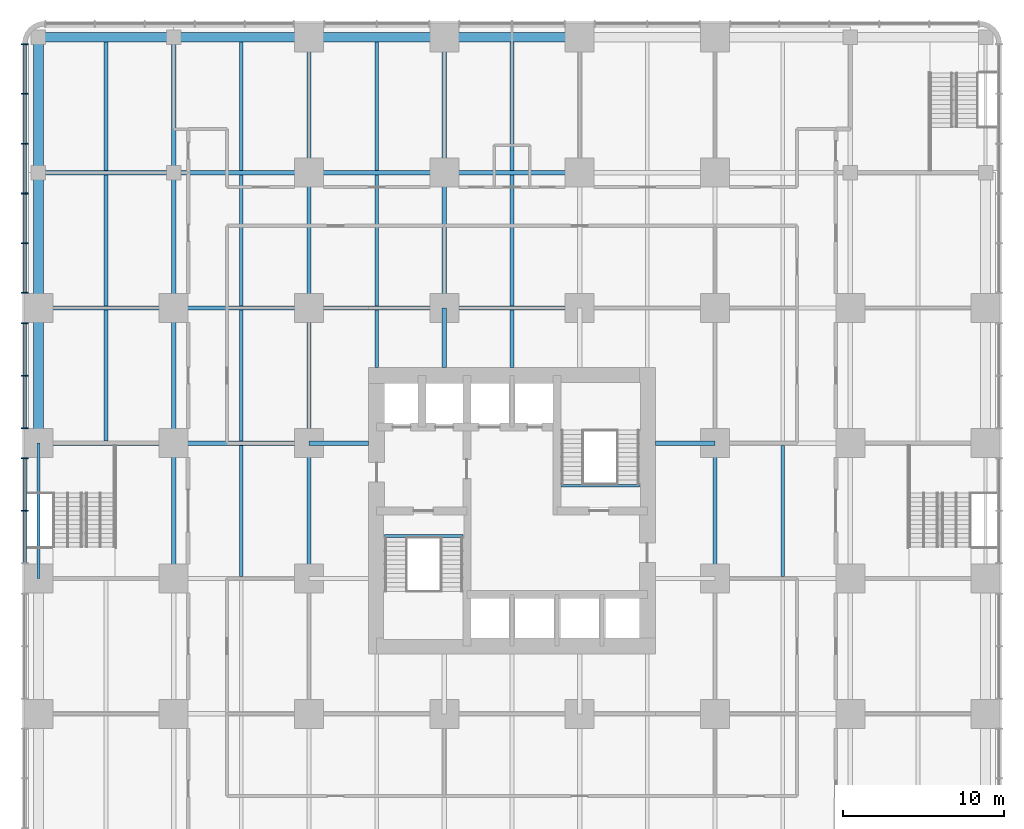
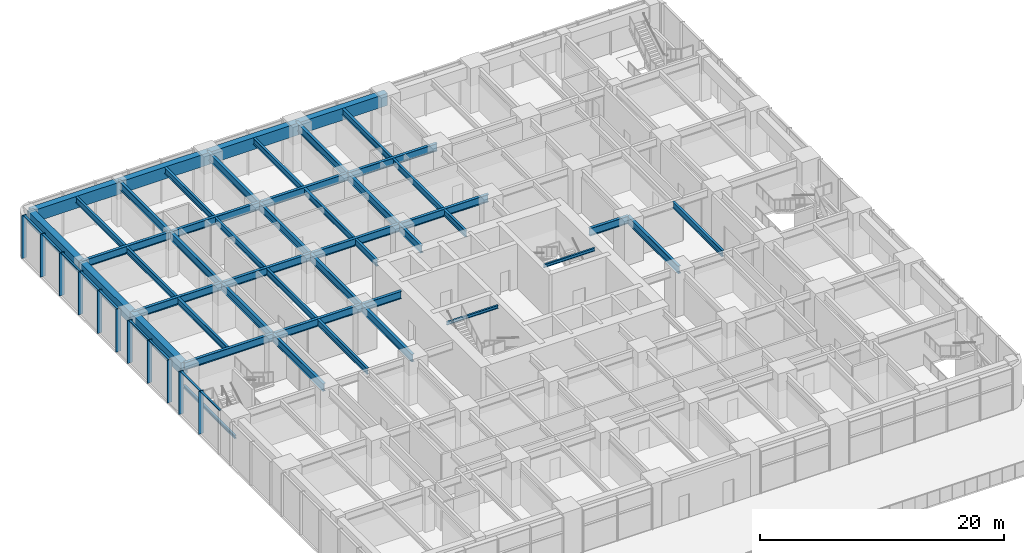
# One storey, part 5 of 19: 48 beams, 20 members, 1 element without a shape of its own.
"""IFC4 building model written with IfcOpenShell, lengths in metres."""

from ifc_helpers import new_model, si_unit, direction, frame, origin, origin_2d, place, context, subcontext, project, spatial, rectangle, i_section, extrude, material, material_profile, profile_set, type_object, element, aggregate, save


model = new_model("IFC4")

# Units and contexts
model_context = context("Model", 3, precision=1e-05, world=origin(), true_north=direction((0.0, 1.0)))
body_context = subcontext(model_context, "Body", "Model", "MODEL_VIEW")
ifc_project = project(units=[si_unit("LENGTHUNIT", "METRE"), si_unit("AREAUNIT", "SQUARE_METRE"), si_unit("VOLUMEUNIT", "CUBIC_METRE"), si_unit("PLANEANGLEUNIT", "RADIAN"), si_unit("MASSUNIT", "GRAM", prefix="KILO")], contexts=[model_context])

# Site, building, storey
site_placement = place(None, origin())
site = spatial("IfcSite", under=ifc_project, at=site_placement, CompositionType="ELEMENT")
building_placement = place(site_placement, origin())
building = spatial("IfcBuilding", under=site, at=building_placement, Name="Torre Alcanfor", CompositionType="ELEMENT")
storey_placement = place(building_placement, frame((0.0, 0.0, 15.0)))
storey = spatial("IfcBuildingStorey", under=building, at=storey_placement, Name="L03", CompositionType="ELEMENT", Elevation=15.0)

# Curtain wall, members
ifc_material_1 = material(Name="Aluminium and glass", Category="aluminium")
curtain_wall_type = type_object("IfcCurtainWallType", Name="CW-B unitised classroom glazing with vertical FIN", PredefinedType="NOTDEFINED", material=ifc_material_1)
curtain_wall_placement = place(storey_placement, origin())
curtain_wall = element("IfcCurtainWall", 1, at=curtain_wall_placement, inside=storey, type_object=curtain_wall_type, Name="Curtain wall CW-B L03 3", PredefinedType="NOTDEFINED")
ifc_material_2 = material(Name="Bronze anodised aluminium", Category="aluminium")
ifc_material_profile_1 = material_profile(ifc_material_2, rectangle(XDim=0.449951171875, YDim=0.06494140625, at=origin_2d()), Name="CW-B mullion 65x450")
ifc_profile_set_1 = profile_set([ifc_material_profile_1], Name="Bronze anodised aluminium")
member_type_1 = type_object("IfcMemberType", Name="CW-B mullion with vertical FIN 65x450", PredefinedType="MULLION", material=ifc_profile_set_1)
member_1_placement = place(storey_placement, frame((-0.85009765625, 58.367431640625, 0.0), z_axis=(0.0, 0.0, 1.0), x_axis=(1.0, 0.0, 0.0)))
member_1 = element("IfcMember", 2, at=member_1_placement, type_object=member_type_1, Name="CW-B mullion 1.1", PredefinedType="MULLION", context=body_context, shape_type="SweptSolid", body=[
    extrude(rectangle(XDim=0.449951171875, YDim=0.06494140625, at=origin_2d()), origin(), (0.0, 0.0, 1.0), 4.300048828125),
])
member_2_placement = place(storey_placement, frame((-0.85009765625, 55.301025390625, 0.0), z_axis=(0.0, 0.0, 1.0), x_axis=(1.0, 0.0, 0.0)))
member_2 = element("IfcMember", 3, at=member_2_placement, type_object=member_type_1, Name="CW-B mullion 1.2", PredefinedType="MULLION", context=body_context, shape_type="SweptSolid", body=[
    extrude(rectangle(XDim=0.449951171875, YDim=0.06494140625, at=origin_2d()), origin(), (0.0, 0.0, 1.0), 4.300048828125),
])
member_3_placement = place(storey_placement, frame((-0.85009765625, 52.201904296875, 0.0), z_axis=(0.0, 0.0, 1.0), x_axis=(1.0, 0.0, 0.0)))
member_3 = element("IfcMember", 4, at=member_3_placement, type_object=member_type_1, Name="CW-B mullion 1.3", PredefinedType="MULLION", context=body_context, shape_type="SweptSolid", body=[
    extrude(rectangle(XDim=0.449951171875, YDim=0.06494140625, at=origin_2d()), origin(), (0.0, 0.0, 1.0), 4.300048828125),
])
member_4_placement = place(storey_placement, frame((-0.85009765625, 49.10302734375, 0.0), z_axis=(0.0, 0.0, 1.0), x_axis=(1.0, 0.0, 0.0)))
member_4 = element("IfcMember", 5, at=member_4_placement, type_object=member_type_1, Name="CW-B mullion 1.4", PredefinedType="MULLION", context=body_context, shape_type="SweptSolid", body=[
    extrude(rectangle(XDim=0.449951171875, YDim=0.06494140625, at=origin_2d()), origin(), (0.0, 0.0, 1.0), 4.300048828125),
])
member_5_placement = place(storey_placement, frame((-0.85009765625, 46.00390625, 0.0), z_axis=(0.0, 0.0, 1.0), x_axis=(1.0, 0.0, 0.0)))
member_5 = element("IfcMember", 6, at=member_5_placement, type_object=member_type_1, Name="CW-B mullion 1.5", PredefinedType="MULLION", context=body_context, shape_type="SweptSolid", body=[
    extrude(rectangle(XDim=0.449951171875, YDim=0.06494140625, at=origin_2d()), origin(), (0.0, 0.0, 1.0), 4.300048828125),
])
member_6_placement = place(storey_placement, frame((-0.85009765625, 42.9375, 0.0), z_axis=(0.0, 0.0, 1.0), x_axis=(1.0, 0.0, 0.0)))
member_6 = element("IfcMember", 7, at=member_6_placement, type_object=member_type_1, Name="CW-B mullion 1.6", PredefinedType="MULLION", context=body_context, shape_type="SweptSolid", body=[
    extrude(rectangle(XDim=0.449951171875, YDim=0.06494140625, at=origin_2d()), origin(), (0.0, 0.0, 1.0), 4.300048828125),
])
member_7_placement = place(storey_placement, frame((-0.85009765625, 41.0625, 0.0), z_axis=(0.0, 0.0, 1.0), x_axis=(1.0, 0.0, 0.0)))
member_7 = element("IfcMember", 8, at=member_7_placement, type_object=member_type_1, Name="CW-B mullion 2.1", PredefinedType="MULLION", context=body_context, shape_type="SweptSolid", body=[
    extrude(rectangle(XDim=0.449951171875, YDim=0.06494140625, at=origin_2d()), origin(), (0.0, 0.0, 1.0), 4.300048828125),
])
member_8_placement = place(storey_placement, frame((-0.85009765625, 37.800048828125, 0.0), z_axis=(0.0, 0.0, 1.0), x_axis=(1.0, 0.0, 0.0)))
member_8 = element("IfcMember", 9, at=member_8_placement, type_object=member_type_1, Name="CW-B mullion 2.2", PredefinedType="MULLION", context=body_context, shape_type="SweptSolid", body=[
    extrude(rectangle(XDim=0.449951171875, YDim=0.06494140625, at=origin_2d()), origin(), (0.0, 0.0, 1.0), 4.300048828125),
])
member_9_placement = place(storey_placement, frame((-0.85009765625, 34.53759765625, 0.0), z_axis=(0.0, 0.0, 1.0), x_axis=(1.0, 0.0, 0.0)))
member_9 = element("IfcMember", 10, at=member_9_placement, type_object=member_type_1, Name="CW-B mullion 2.3", PredefinedType="MULLION", context=body_context, shape_type="SweptSolid", body=[
    extrude(rectangle(XDim=0.449951171875, YDim=0.06494140625, at=origin_2d()), origin(), (0.0, 0.0, 1.0), 4.300048828125),
])
member_10_placement = place(storey_placement, frame((-0.85009765625, 32.66259765625, 0.0), z_axis=(0.0, 0.0, 1.0), x_axis=(1.0, 0.0, 0.0)))
member_10 = element("IfcMember", 11, at=member_10_placement, type_object=member_type_1, Name="CW-B mullion 3.1", PredefinedType="MULLION", context=body_context, shape_type="SweptSolid", body=[
    extrude(rectangle(XDim=0.449951171875, YDim=0.06494140625, at=origin_2d()), origin(), (0.0, 0.0, 1.0), 4.300048828125),
])
member_11_placement = place(storey_placement, frame((-0.85009765625, 29.39990234375, 0.0), z_axis=(0.0, 0.0, 1.0), x_axis=(1.0, 0.0, 0.0)))
member_11 = element("IfcMember", 12, at=member_11_placement, type_object=member_type_1, Name="CW-B mullion 3.2", PredefinedType="MULLION", context=body_context, shape_type="SweptSolid", body=[
    extrude(rectangle(XDim=0.449951171875, YDim=0.06494140625, at=origin_2d()), origin(), (0.0, 0.0, 1.0), 4.300048828125),
])
ifc_material_3 = material(Name="Extruded aluminium", Category="aluminium")
ifc_material_profile_2 = material_profile(ifc_material_3, rectangle(XDim=0.199951171875, YDim=0.06494140625, at=origin_2d()), Name="CW-B transom 200x65")
ifc_profile_set_2 = profile_set([ifc_material_profile_2], Name="Extruded aluminium")
member_type_2 = type_object("IfcMemberType", Name="CW-B transom 65x200", PredefinedType="USERDEFINED", material=ifc_profile_set_2)
member_12_placement = place(storey_placement, frame((-0.85009765625, 58.3349609375, 4.267578125), z_axis=(0.0, -1.0, 0.0), x_axis=(1.0, 0.0, 0.0)))
member_12 = element("IfcMember", 13, at=member_12_placement, type_object=member_type_2, Name="CW-B transom 1.1.2", ObjectType="TRANSOM", PredefinedType="USERDEFINED", context=body_context, shape_type="SweptSolid", body=[
    extrude(rectangle(XDim=0.199951171875, YDim=0.06494140625, at=origin_2d()), origin(), (0.0, 0.0, 1.0), 3.00146484375),
])
member_13_placement = place(storey_placement, frame((-0.85009765625, 55.2685546875, 4.267578125), z_axis=(0.0, -1.0, 0.0), x_axis=(1.0, 0.0, 0.0)))
member_13 = element("IfcMember", 14, at=member_13_placement, type_object=member_type_2, Name="CW-B transom 1.2.2", ObjectType="TRANSOM", PredefinedType="USERDEFINED", context=body_context, shape_type="SweptSolid", body=[
    extrude(rectangle(XDim=0.199951171875, YDim=0.06494140625, at=origin_2d()), origin(), (0.0, 0.0, 1.0), 3.033935546875),
])
member_14_placement = place(storey_placement, frame((-0.85009765625, 52.16943359375, 4.267578125), z_axis=(0.0, -1.0, 0.0), x_axis=(1.0, 0.0, 0.0)))
member_14 = element("IfcMember", 15, at=member_14_placement, type_object=member_type_2, Name="CW-B transom 1.3.2", ObjectType="TRANSOM", PredefinedType="USERDEFINED", context=body_context, shape_type="SweptSolid", body=[
    extrude(rectangle(XDim=0.199951171875, YDim=0.06494140625, at=origin_2d()), origin(), (0.0, 0.0, 1.0), 3.033935546875),
])
member_15_placement = place(storey_placement, frame((-0.85009765625, 49.070556640625, 4.267578125), z_axis=(0.0, -1.0, 0.0), x_axis=(1.0, 0.0, 0.0)))
member_15 = element("IfcMember", 16, at=member_15_placement, type_object=member_type_2, Name="CW-B transom 1.4.2", ObjectType="TRANSOM", PredefinedType="USERDEFINED", context=body_context, shape_type="SweptSolid", body=[
    extrude(rectangle(XDim=0.199951171875, YDim=0.06494140625, at=origin_2d()), origin(), (0.0, 0.0, 1.0), 3.033935546875),
])
member_16_placement = place(storey_placement, frame((-0.85009765625, 45.971435546875, 4.267578125), z_axis=(0.0, -1.0, 0.0), x_axis=(1.0, 0.0, 0.0)))
member_16 = element("IfcMember", 17, at=member_16_placement, type_object=member_type_2, Name="CW-B transom 1.5.2", ObjectType="TRANSOM", PredefinedType="USERDEFINED", context=body_context, shape_type="SweptSolid", body=[
    extrude(rectangle(XDim=0.199951171875, YDim=0.06494140625, at=origin_2d()), origin(), (0.0, 0.0, 1.0), 3.00146484375),
])
member_17_placement = place(storey_placement, frame((-0.85009765625, 41.030029296875, 4.267578125), z_axis=(0.0, -1.0, 0.0), x_axis=(1.0, 0.0, 0.0)))
member_17 = element("IfcMember", 18, at=member_17_placement, type_object=member_type_2, Name="CW-B transom 2.1.2", ObjectType="TRANSOM", PredefinedType="USERDEFINED", context=body_context, shape_type="SweptSolid", body=[
    extrude(rectangle(XDim=0.199951171875, YDim=0.06494140625, at=origin_2d()), origin(), (0.0, 0.0, 1.0), 3.197509765625),
])
member_18_placement = place(storey_placement, frame((-0.85009765625, 37.767578125, 4.267578125), z_axis=(0.0, -1.0, 0.0), x_axis=(1.0, 0.0, 0.0)))
member_18 = element("IfcMember", 19, at=member_18_placement, type_object=member_type_2, Name="CW-B transom 2.2.2", ObjectType="TRANSOM", PredefinedType="USERDEFINED", context=body_context, shape_type="SweptSolid", body=[
    extrude(rectangle(XDim=0.199951171875, YDim=0.06494140625, at=origin_2d()), origin(), (0.0, 0.0, 1.0), 3.197509765625),
])
member_19_placement = place(storey_placement, frame((-0.85009765625, 32.6298828125, 4.267578125), z_axis=(0.0, -1.0, 0.0), x_axis=(1.0, 0.0, 0.0)))
member_19 = element("IfcMember", 20, at=member_19_placement, type_object=member_type_2, Name="CW-B transom 3.1.2", ObjectType="TRANSOM", PredefinedType="USERDEFINED", context=body_context, shape_type="SweptSolid", body=[
    extrude(rectangle(XDim=0.199951171875, YDim=0.06494140625, at=origin_2d()), origin(), (0.0, 0.0, 1.0), 3.197265625),
])
member_20_placement = place(storey_placement, frame((-0.85009765625, 29.367431640625, 4.267578125), z_axis=(0.0, -1.0, 0.0), x_axis=(1.0, 0.0, 0.0)))
member_20 = element("IfcMember", 21, at=member_20_placement, type_object=member_type_2, Name="CW-B transom 3.2.2", ObjectType="TRANSOM", PredefinedType="USERDEFINED", context=body_context, shape_type="SweptSolid", body=[
    extrude(rectangle(XDim=0.199951171875, YDim=0.06494140625, at=origin_2d()), origin(), (0.0, 0.0, 1.0), 3.197509765625),
])
aggregate(curtain_wall, [member_1, member_2, member_3, member_4, member_5, member_6, member_12, member_13, member_14, member_15, member_16, member_7, member_8, member_9, member_17, member_18, member_10, member_11, member_19, member_20])

# Beams
ifc_material_4 = material(Name="Steel ASTM A992 Grade 50", Category="steel")
ifc_material_profile_3 = material_profile(ifc_material_4, i_section(OverallWidth=0.2666015625, OverallDepth=0.7568359375, WebThickness=0.013916015625, FlangeThickness=0.019287109375, at=origin_2d()), Name="W30x108")
ifc_profile_set_3 = profile_set([ifc_material_profile_3], Name="Steel ASTM A992 Grade 50")
beam_type_1 = type_object("IfcBeamType", Name="Girder W30x108", PredefinedType="BEAM", material=ifc_profile_set_3)
beam_1_placement = place(storey_placement, frame((0.0, 33.60009765625, 3.921630859375), z_axis=(1.0, 0.0, 0.0), x_axis=(0.0, 1.0, 0.0)))
element("IfcBeam", 22, at=beam_1_placement, inside=storey, type_object=beam_type_1, Name="Beam 1G-2G under L04", PredefinedType="BEAM", context=body_context, shape_type="SweptSolid", body=[
    extrude(i_section(OverallWidth=0.2666015625, OverallDepth=0.7568359375, WebThickness=0.013916015625, FlangeThickness=0.019287109375, at=origin_2d()), origin(), (0.0, 0.0, 1.0), 8.39990234375),
])
beam_2_placement = place(storey_placement, frame((8.39990234375, 33.60009765625, 3.921630859375), z_axis=(1.0, 0.0, 0.0), x_axis=(0.0, 1.0, 0.0)))
element("IfcBeam", 23, at=beam_2_placement, inside=storey, type_object=beam_type_1, Name="Beam 2G-3G under L04", PredefinedType="BEAM", context=body_context, shape_type="SweptSolid", body=[
    extrude(i_section(OverallWidth=0.2666015625, OverallDepth=0.7568359375, WebThickness=0.013916015625, FlangeThickness=0.019287109375, at=origin_2d()), origin(), (0.0, 0.0, 1.0), 8.400146484375),
])
beam_3_placement = place(storey_placement, frame((0.0, 42.0, 3.921630859375), z_axis=(1.0, 0.0, 0.0), x_axis=(0.0, 1.0, 0.0)))
element("IfcBeam", 24, at=beam_3_placement, inside=storey, type_object=beam_type_1, Name="Beam 1H-2H under L04", PredefinedType="BEAM", context=body_context, shape_type="SweptSolid", body=[
    extrude(i_section(OverallWidth=0.2666015625, OverallDepth=0.7568359375, WebThickness=0.013916015625, FlangeThickness=0.019287109375, at=origin_2d()), origin(), (0.0, 0.0, 1.0), 8.39990234375),
])
beam_4_placement = place(storey_placement, frame((8.39990234375, 42.0, 3.921630859375), z_axis=(1.0, 0.0, 0.0), x_axis=(0.0, 1.0, 0.0)))
element("IfcBeam", 25, at=beam_4_placement, inside=storey, type_object=beam_type_1, Name="Beam 2H-3H under L04", PredefinedType="BEAM", context=body_context, shape_type="SweptSolid", body=[
    extrude(i_section(OverallWidth=0.2666015625, OverallDepth=0.7568359375, WebThickness=0.013916015625, FlangeThickness=0.019287109375, at=origin_2d()), origin(), (0.0, 0.0, 1.0), 8.400146484375),
])
beam_5_placement = place(storey_placement, frame((16.800048828125, 42.0, 3.921630859375), z_axis=(1.0, 0.0, 0.0), x_axis=(0.0, 1.0, 0.0)))
element("IfcBeam", 26, at=beam_5_placement, inside=storey, type_object=beam_type_1, Name="Beam 3H-4H under L04", PredefinedType="BEAM", context=body_context, shape_type="SweptSolid", body=[
    extrude(i_section(OverallWidth=0.2666015625, OverallDepth=0.7568359375, WebThickness=0.013916015625, FlangeThickness=0.019287109375, at=origin_2d()), origin(), (0.0, 0.0, 1.0), 8.39990234375),
])
beam_6_placement = place(storey_placement, frame((25.199951171875, 42.0, 3.921630859375), z_axis=(1.0, 0.0, 0.0), x_axis=(0.0, 1.0, 0.0)))
element("IfcBeam", 27, at=beam_6_placement, inside=storey, type_object=beam_type_1, Name="Beam 4H-5H under L04", PredefinedType="BEAM", context=body_context, shape_type="SweptSolid", body=[
    extrude(i_section(OverallWidth=0.2666015625, OverallDepth=0.7568359375, WebThickness=0.013916015625, FlangeThickness=0.019287109375, at=origin_2d()), origin(), (0.0, 0.0, 1.0), 8.400146484375),
])
beam_7_placement = place(storey_placement, frame((0.0, 50.39990234375, 3.921630859375), z_axis=(1.0, 0.0, 0.0), x_axis=(0.0, 1.0, 0.0)))
element("IfcBeam", 28, at=beam_7_placement, inside=storey, type_object=beam_type_1, Name="Beam 1J-2J under L04", PredefinedType="BEAM", context=body_context, shape_type="SweptSolid", body=[
    extrude(i_section(OverallWidth=0.2666015625, OverallDepth=0.7568359375, WebThickness=0.013916015625, FlangeThickness=0.019287109375, at=origin_2d()), origin(), (0.0, 0.0, 1.0), 8.39990234375),
])
beam_8_placement = place(storey_placement, frame((8.39990234375, 50.39990234375, 3.921630859375), z_axis=(1.0, 0.0, 0.0), x_axis=(0.0, 1.0, 0.0)))
element("IfcBeam", 29, at=beam_8_placement, inside=storey, type_object=beam_type_1, Name="Beam 2J-3J under L04", PredefinedType="BEAM", context=body_context, shape_type="SweptSolid", body=[
    extrude(i_section(OverallWidth=0.2666015625, OverallDepth=0.7568359375, WebThickness=0.013916015625, FlangeThickness=0.019287109375, at=origin_2d()), origin(), (0.0, 0.0, 1.0), 8.400146484375),
])
beam_9_placement = place(storey_placement, frame((16.800048828125, 50.39990234375, 3.921630859375), z_axis=(1.0, 0.0, 0.0), x_axis=(0.0, 1.0, 0.0)))
element("IfcBeam", 30, at=beam_9_placement, inside=storey, type_object=beam_type_1, Name="Beam 3J-4J under L04", PredefinedType="BEAM", context=body_context, shape_type="SweptSolid", body=[
    extrude(i_section(OverallWidth=0.2666015625, OverallDepth=0.7568359375, WebThickness=0.013916015625, FlangeThickness=0.019287109375, at=origin_2d()), origin(), (0.0, 0.0, 1.0), 8.39990234375),
])
for number, where, z_axis, x_axis, name in (
    (31, (25.199951171875, 50.39990234375, 3.921630859375), (1.0, 0.0, 0.0), (0.0, 1.0, 0.0), "Beam 4J-5J under L04"),
    (32, (8.39990234375, 25.199951171875, 3.921630859375), (0.0, 1.0, 0.0), (-1.0, 0.0, 0.0), "Beam 2F-2G under L04"),
):
    element("IfcBeam", number, at=place(storey_placement, frame(where, z_axis=z_axis, x_axis=x_axis)), inside=storey, type_object=beam_type_1, Name=name, PredefinedType="BEAM", context=body_context, shape_type="SweptSolid", body=[
        extrude(i_section(OverallWidth=0.2666015625, OverallDepth=0.7568359375, WebThickness=0.013916015625, FlangeThickness=0.019287109375, at=origin_2d()), origin(), (0.0, 0.0, 1.0), 8.400146484375),
    ])
for number, where, z_axis, x_axis, name in (
    (33, (8.39990234375, 33.60009765625, 3.921630859375), (0.0, 1.0, 0.0), (-1.0, 0.0, 0.0), "Beam 2G-2H under L04"),
    (34, (8.39990234375, 42.0, 3.921630859375), (0.0, 1.0, 0.0), (-1.0, 0.0, 0.0), "Beam 2H-2J under L04"),
):
    element("IfcBeam", number, at=place(storey_placement, frame(where, z_axis=z_axis, x_axis=x_axis)), inside=storey, type_object=beam_type_1, Name=name, PredefinedType="BEAM", context=body_context, shape_type="SweptSolid", body=[
        extrude(i_section(OverallWidth=0.2666015625, OverallDepth=0.7568359375, WebThickness=0.013916015625, FlangeThickness=0.019287109375, at=origin_2d()), origin(), (0.0, 0.0, 1.0), 8.39990234375),
    ])
for number, where, z_axis, x_axis, name in (
    (35, (8.39990234375, 50.39990234375, 3.921630859375), (0.0, 1.0, 0.0), (-1.0, 0.0, 0.0), "Beam 2J-2K under L04"),
    (36, (16.800048828125, 25.199951171875, 3.921630859375), (0.0, 1.0, 0.0), (-1.0, 0.0, 0.0), "Beam 3F-3G under L04"),
):
    element("IfcBeam", number, at=place(storey_placement, frame(where, z_axis=z_axis, x_axis=x_axis)), inside=storey, type_object=beam_type_1, Name=name, PredefinedType="BEAM", context=body_context, shape_type="SweptSolid", body=[
        extrude(i_section(OverallWidth=0.2666015625, OverallDepth=0.7568359375, WebThickness=0.013916015625, FlangeThickness=0.019287109375, at=origin_2d()), origin(), (0.0, 0.0, 1.0), 8.400146484375),
    ])
for number, where, z_axis, x_axis, name in (
    (37, (16.800048828125, 33.60009765625, 3.921630859375), (0.0, 1.0, 0.0), (-1.0, 0.0, 0.0), "Beam 3G-3H under L04"),
    (38, (16.800048828125, 42.0, 3.921630859375), (0.0, 1.0, 0.0), (-1.0, 0.0, 0.0), "Beam 3H-3J under L04"),
):
    element("IfcBeam", number, at=place(storey_placement, frame(where, z_axis=z_axis, x_axis=x_axis)), inside=storey, type_object=beam_type_1, Name=name, PredefinedType="BEAM", context=body_context, shape_type="SweptSolid", body=[
        extrude(i_section(OverallWidth=0.2666015625, OverallDepth=0.7568359375, WebThickness=0.013916015625, FlangeThickness=0.019287109375, at=origin_2d()), origin(), (0.0, 0.0, 1.0), 8.39990234375),
    ])
beam_10_placement = place(storey_placement, frame((16.800048828125, 50.39990234375, 3.921630859375), z_axis=(0.0, 1.0, 0.0), x_axis=(-1.0, 0.0, 0.0)))
element("IfcBeam", 39, at=beam_10_placement, inside=storey, type_object=beam_type_1, Name="Beam 3J-3K under L04", PredefinedType="BEAM", context=body_context, shape_type="SweptSolid", body=[
    extrude(i_section(OverallWidth=0.2666015625, OverallDepth=0.7568359375, WebThickness=0.013916015625, FlangeThickness=0.019287109375, at=origin_2d()), origin(), (0.0, 0.0, 1.0), 8.400146484375),
])
beam_11_placement = place(storey_placement, frame((25.199951171875, 42.0, 3.921630859375), z_axis=(0.0, 1.0, 0.0), x_axis=(-1.0, 0.0, 0.0)))
element("IfcBeam", 40, at=beam_11_placement, inside=storey, type_object=beam_type_1, Name="Beam 4H-4J under L04", PredefinedType="BEAM", context=body_context, shape_type="SweptSolid", body=[
    extrude(i_section(OverallWidth=0.2666015625, OverallDepth=0.7568359375, WebThickness=0.013916015625, FlangeThickness=0.019287109375, at=origin_2d()), origin(), (0.0, 0.0, 1.0), 8.39990234375),
])
for number, where, z_axis, x_axis, name in (
    (41, (25.199951171875, 50.39990234375, 3.921630859375), (0.0, 1.0, 0.0), (-1.0, 0.0, 0.0), "Beam 4J-4K under L04"),
    (42, (42.0, 25.199951171875, 3.921630859375), (0.0, 1.0, 0.0), (-1.0, 0.0, 0.0), "Beam 6F-6G under L04"),
):
    element("IfcBeam", number, at=place(storey_placement, frame(where, z_axis=z_axis, x_axis=x_axis)), inside=storey, type_object=beam_type_1, Name=name, PredefinedType="BEAM", context=body_context, shape_type="SweptSolid", body=[
        extrude(i_section(OverallWidth=0.2666015625, OverallDepth=0.7568359375, WebThickness=0.013916015625, FlangeThickness=0.019287109375, at=origin_2d()), origin(), (0.0, 0.0, 1.0), 8.400146484375),
    ])
ifc_material_5 = material(Name="Steel ASTM A992 Grade 50", Category="steel")
ifc_material_profile_4 = material_profile(ifc_material_5, i_section(OverallWidth=0.2666015625, OverallDepth=0.7568359375, WebThickness=0.013916015625, FlangeThickness=0.019287109375, at=origin_2d()), Name="W30x108")
ifc_profile_set_4 = profile_set([ifc_material_profile_4], Name="Steel ASTM A992 Grade 50")
beam_type_2 = type_object("IfcBeamType", Name="Girder, part bay W30x108", PredefinedType="BEAM", material=ifc_profile_set_4)
for number, where, z_axis, x_axis, name in (
    (43, (25.199951171875, 42.0, 3.921630859375), (0.0, -1.0, 0.0), (1.0, 0.0, 0.0), "Beam 4H-438_3 under L04"),
    (44, (16.800048828125, 33.60009765625, 3.921630859375), (1.0, 0.0, 0.0), (0.0, 1.0, 0.0), "Beam 3G-20_5G under L04"),
    (45, (42.0, 33.60009765625, 3.921630859375), (-1.0, 0.0, 0.0), (0.0, -1.0, 0.0), "Beam 6G-38_3G under L04"),
):
    element("IfcBeam", number, at=place(storey_placement, frame(where, z_axis=z_axis, x_axis=x_axis)), inside=storey, type_object=beam_type_2, Name=name, PredefinedType="BEAM", context=body_context, shape_type="SweptSolid", body=[
        extrude(i_section(OverallWidth=0.2666015625, OverallDepth=0.7568359375, WebThickness=0.013916015625, FlangeThickness=0.019287109375, at=origin_2d()), origin(), (0.0, 0.0, 1.0), 3.699951171875),
    ])
ifc_material_6 = material(Name="Concrete f'c 70 MPa", Category="concrete")
ifc_material_profile_5 = material_profile(ifc_material_6, rectangle(XDim=0.60009765625, YDim=1.199951171875, at=origin_2d()), Name="600x1200")
ifc_profile_set_5 = profile_set([ifc_material_profile_5], Name="Concrete f'c 70 MPa")
beam_type_3 = type_object("IfcBeamType", Name="RC perimeter beam 600x1200", PredefinedType="BEAM", material=ifc_profile_set_5)
beam_12_placement = place(storey_placement, frame((0.0, 58.800048828125, 3.699951171875), z_axis=(1.0, 0.0, 0.0), x_axis=(0.0, 1.0, 0.0)))
element("IfcBeam", 46, at=beam_12_placement, inside=storey, type_object=beam_type_3, Name="Beam 1K-2K under L04", PredefinedType="BEAM", context=body_context, shape_type="SweptSolid", body=[
    extrude(rectangle(XDim=0.60009765625, YDim=1.199951171875, at=origin_2d()), origin(), (0.0, 0.0, 1.0), 8.39990234375),
])
beam_13_placement = place(storey_placement, frame((8.39990234375, 58.800048828125, 3.699951171875), z_axis=(1.0, 0.0, 0.0), x_axis=(0.0, 1.0, 0.0)))
element("IfcBeam", 47, at=beam_13_placement, inside=storey, type_object=beam_type_3, Name="Beam 2K-3K under L04", PredefinedType="BEAM", context=body_context, shape_type="SweptSolid", body=[
    extrude(rectangle(XDim=0.60009765625, YDim=1.199951171875, at=origin_2d()), origin(), (0.0, 0.0, 1.0), 8.400146484375),
])
beam_14_placement = place(storey_placement, frame((16.800048828125, 58.800048828125, 3.699951171875), z_axis=(1.0, 0.0, 0.0), x_axis=(0.0, 1.0, 0.0)))
element("IfcBeam", 48, at=beam_14_placement, inside=storey, type_object=beam_type_3, Name="Beam 3K-4K under L04", PredefinedType="BEAM", context=body_context, shape_type="SweptSolid", body=[
    extrude(rectangle(XDim=0.60009765625, YDim=1.199951171875, at=origin_2d()), origin(), (0.0, 0.0, 1.0), 8.39990234375),
])
beam_15_placement = place(storey_placement, frame((25.199951171875, 58.800048828125, 3.699951171875), z_axis=(1.0, 0.0, 0.0), x_axis=(0.0, 1.0, 0.0)))
element("IfcBeam", 49, at=beam_15_placement, inside=storey, type_object=beam_type_3, Name="Beam 4K-5K under L04", PredefinedType="BEAM", context=body_context, shape_type="SweptSolid", body=[
    extrude(rectangle(XDim=0.60009765625, YDim=1.199951171875, at=origin_2d()), origin(), (0.0, 0.0, 1.0), 8.400146484375),
])
for number, where, z_axis, x_axis, name in (
    (50, (0.0, 33.60009765625, 3.699951171875), (0.0, 1.0, 0.0), (-1.0, 0.0, 0.0), "Beam 1G-1H under L04"),
    (51, (0.0, 42.0, 3.699951171875), (0.0, 1.0, 0.0), (-1.0, 0.0, 0.0), "Beam 1H-1J under L04"),
):
    element("IfcBeam", number, at=place(storey_placement, frame(where, z_axis=z_axis, x_axis=x_axis)), inside=storey, type_object=beam_type_3, Name=name, PredefinedType="BEAM", context=body_context, shape_type="SweptSolid", body=[
        extrude(rectangle(XDim=0.60009765625, YDim=1.199951171875, at=origin_2d()), origin(), (0.0, 0.0, 1.0), 8.39990234375),
    ])
beam_16_placement = place(storey_placement, frame((0.0, 50.39990234375, 3.699951171875), z_axis=(0.0, 1.0, 0.0), x_axis=(-1.0, 0.0, 0.0)))
element("IfcBeam", 52, at=beam_16_placement, inside=storey, type_object=beam_type_3, Name="Beam 1J-1K under L04", PredefinedType="BEAM", context=body_context, shape_type="SweptSolid", body=[
    extrude(rectangle(XDim=0.60009765625, YDim=1.199951171875, at=origin_2d()), origin(), (0.0, 0.0, 1.0), 8.400146484375),
])
ifc_material_7 = material(Name="Steel ASTM A992 Grade 50", Category="steel")
ifc_material_profile_6 = material_profile(ifc_material_7, i_section(OverallWidth=0.203369140625, OverallDepth=0.30224609375, WebThickness=0.007568359375, FlangeThickness=0.01318359375, at=origin_2d()), Name="W12x40")
ifc_profile_set_6 = profile_set([ifc_material_profile_6], Name="Steel ASTM A992 Grade 50")
beam_type_4 = type_object("IfcBeamType", Name="School stair landing beam W12x40", PredefinedType="BEAM", material=ifc_profile_set_6)
beam_17_placement = place(storey_placement, frame((0.0, 25.199951171875, 1.89892578125), z_axis=(0.0, 1.0, 0.0), x_axis=(-1.0, 0.0, 0.0)))
element("IfcBeam", 53, at=beam_17_placement, inside=storey, type_object=beam_type_4, Name="Landing beam SS1 L03", PredefinedType="BEAM", context=body_context, shape_type="SweptSolid", body=[
    extrude(i_section(OverallWidth=0.203369140625, OverallDepth=0.30224609375, WebThickness=0.007568359375, FlangeThickness=0.01318359375, at=origin_2d()), origin(), (0.0, 0.0, 1.0), 8.400146484375),
])
ifc_material_8 = material(Name="Steel ASTM A992 Grade 50", Category="steel")
ifc_material_profile_7 = material_profile(ifc_material_8, i_section(OverallWidth=0.22900390625, OverallDepth=0.612060546875, WebThickness=0.011962890625, FlangeThickness=0.01953125, at=origin_2d()), Name="W24x84")
ifc_profile_set_7 = profile_set([ifc_material_profile_7], Name="Steel ASTM A992 Grade 50")
beam_type_5 = type_object("IfcBeamType", Name="Secondary beam W24x84", PredefinedType="BEAM", material=ifc_profile_set_7)
for number, where, z_axis, x_axis, name in (
    (54, (4.199951171875, 33.73291015625, 3.993896484375), (0.0, 1.0, 0.0), (-1.0, 0.0, 0.0), "Beam 4_2G-4_2H under L04"),
    (55, (4.199951171875, 42.133056640625, 3.993896484375), (0.0, 1.0, 0.0), (-1.0, 0.0, 0.0), "Beam 4_2H-4_2J under L04"),
):
    element("IfcBeam", number, at=place(storey_placement, frame(where, z_axis=z_axis, x_axis=x_axis)), inside=storey, type_object=beam_type_5, Name=name, PredefinedType="BEAM", context=body_context, shape_type="SweptSolid", body=[
        extrude(i_section(OverallWidth=0.22900390625, OverallDepth=0.612060546875, WebThickness=0.011962890625, FlangeThickness=0.01953125, at=origin_2d()), origin(), (0.0, 0.0, 1.0), 8.134033203125),
    ])
beam_18_placement = place(storey_placement, frame((4.199951171875, 50.532958984375, 3.993896484375), z_axis=(0.0, 1.0, 0.0), x_axis=(-1.0, 0.0, 0.0)))
element("IfcBeam", 56, at=beam_18_placement, inside=storey, type_object=beam_type_5, Name="Beam 4_2J-4_2K under L04", PredefinedType="BEAM", context=body_context, shape_type="SweptSolid", body=[
    extrude(i_section(OverallWidth=0.22900390625, OverallDepth=0.612060546875, WebThickness=0.011962890625, FlangeThickness=0.01953125, at=origin_2d()), origin(), (0.0, 0.0, 1.0), 7.967041015625),
])
for number, where, z_axis, x_axis, name in (
    (57, (12.60009765625, 25.3330078125, 3.993896484375), (0.0, 1.0, 0.0), (-1.0, 0.0, 0.0), "Beam 12_6F-12_6G under L04"),
    (58, (12.60009765625, 33.73291015625, 3.993896484375), (0.0, 1.0, 0.0), (-1.0, 0.0, 0.0), "Beam 12_6G-12_6H under L04"),
    (59, (12.60009765625, 42.133056640625, 3.993896484375), (0.0, 1.0, 0.0), (-1.0, 0.0, 0.0), "Beam 12_6H-12_6J under L04"),
):
    element("IfcBeam", number, at=place(storey_placement, frame(where, z_axis=z_axis, x_axis=x_axis)), inside=storey, type_object=beam_type_5, Name=name, PredefinedType="BEAM", context=body_context, shape_type="SweptSolid", body=[
        extrude(i_section(OverallWidth=0.22900390625, OverallDepth=0.612060546875, WebThickness=0.011962890625, FlangeThickness=0.01953125, at=origin_2d()), origin(), (0.0, 0.0, 1.0), 8.134033203125),
    ])
beam_19_placement = place(storey_placement, frame((12.60009765625, 50.532958984375, 3.993896484375), z_axis=(0.0, 1.0, 0.0), x_axis=(-1.0, 0.0, 0.0)))
element("IfcBeam", 60, at=beam_19_placement, inside=storey, type_object=beam_type_5, Name="Beam 12_6J-12_6K under L04", PredefinedType="BEAM", context=body_context, shape_type="SweptSolid", body=[
    extrude(i_section(OverallWidth=0.22900390625, OverallDepth=0.612060546875, WebThickness=0.011962890625, FlangeThickness=0.01953125, at=origin_2d()), origin(), (0.0, 0.0, 1.0), 7.967041015625),
])
beam_20_placement = place(storey_placement, frame((21.0, 42.133056640625, 3.993896484375), z_axis=(0.0, 1.0, 0.0), x_axis=(-1.0, 0.0, 0.0)))
element("IfcBeam", 61, at=beam_20_placement, inside=storey, type_object=beam_type_5, Name="Beam 21H-21J under L04", PredefinedType="BEAM", context=body_context, shape_type="SweptSolid", body=[
    extrude(i_section(OverallWidth=0.22900390625, OverallDepth=0.612060546875, WebThickness=0.011962890625, FlangeThickness=0.01953125, at=origin_2d()), origin(), (0.0, 0.0, 1.0), 8.134033203125),
])
beam_21_placement = place(storey_placement, frame((21.0, 50.532958984375, 3.993896484375), z_axis=(0.0, 1.0, 0.0), x_axis=(-1.0, 0.0, 0.0)))
element("IfcBeam", 62, at=beam_21_placement, inside=storey, type_object=beam_type_5, Name="Beam 21J-21K under L04", PredefinedType="BEAM", context=body_context, shape_type="SweptSolid", body=[
    extrude(i_section(OverallWidth=0.22900390625, OverallDepth=0.612060546875, WebThickness=0.011962890625, FlangeThickness=0.01953125, at=origin_2d()), origin(), (0.0, 0.0, 1.0), 7.967041015625),
])
beam_22_placement = place(storey_placement, frame((29.39990234375, 42.133056640625, 3.993896484375), z_axis=(0.0, 1.0, 0.0), x_axis=(-1.0, 0.0, 0.0)))
element("IfcBeam", 63, at=beam_22_placement, inside=storey, type_object=beam_type_5, Name="Beam 29_4H-29_4J under L04", PredefinedType="BEAM", context=body_context, shape_type="SweptSolid", body=[
    extrude(i_section(OverallWidth=0.22900390625, OverallDepth=0.612060546875, WebThickness=0.011962890625, FlangeThickness=0.01953125, at=origin_2d()), origin(), (0.0, 0.0, 1.0), 8.134033203125),
])
beam_23_placement = place(storey_placement, frame((29.39990234375, 50.532958984375, 3.993896484375), z_axis=(0.0, 1.0, 0.0), x_axis=(-1.0, 0.0, 0.0)))
element("IfcBeam", 64, at=beam_23_placement, inside=storey, type_object=beam_type_5, Name="Beam 29_4J-29_4K under L04", PredefinedType="BEAM", context=body_context, shape_type="SweptSolid", body=[
    extrude(i_section(OverallWidth=0.22900390625, OverallDepth=0.612060546875, WebThickness=0.011962890625, FlangeThickness=0.01953125, at=origin_2d()), origin(), (0.0, 0.0, 1.0), 7.967041015625),
])
beam_24_placement = place(storey_placement, frame((46.199951171875, 25.3330078125, 3.993896484375), z_axis=(0.0, 1.0, 0.0), x_axis=(-1.0, 0.0, 0.0)))
element("IfcBeam", 65, at=beam_24_placement, inside=storey, type_object=beam_type_5, Name="Beam 46_2F-46_2G under L04", PredefinedType="BEAM", context=body_context, shape_type="SweptSolid", body=[
    extrude(i_section(OverallWidth=0.22900390625, OverallDepth=0.612060546875, WebThickness=0.011962890625, FlangeThickness=0.01953125, at=origin_2d()), origin(), (0.0, 0.0, 1.0), 8.134033203125),
])
ifc_material_9 = material(Name="Steel ASTM A992 Grade 50", Category="steel")
ifc_material_profile_8 = material_profile(ifc_material_9, i_section(OverallWidth=0.22900390625, OverallDepth=0.612060546875, WebThickness=0.011962890625, FlangeThickness=0.01953125, at=origin_2d()), Name="W24x84")
ifc_profile_set_8 = profile_set([ifc_material_profile_8], Name="Steel ASTM A992 Grade 50")
beam_type_6 = type_object("IfcBeamType", Name="Secondary beam, part bay W24x84", PredefinedType="BEAM", material=ifc_profile_set_8)
for number, where, z_axis, x_axis, name in (
    (66, (21.0, 38.300048828125, 3.993896484375), (0.0, 1.0, 0.0), (-1.0, 0.0, 0.0), "Beam 2138_3-21H under L04"),
    (67, (29.39990234375, 38.300048828125, 3.993896484375), (0.0, 1.0, 0.0), (-1.0, 0.0, 0.0), "Beam 29_438_3-29_4H under L04"),
):
    element("IfcBeam", number, at=place(storey_placement, frame(where, z_axis=z_axis, x_axis=x_axis)), inside=storey, type_object=beam_type_6, Name=name, PredefinedType="BEAM", context=body_context, shape_type="SweptSolid", body=[
        extrude(i_section(OverallWidth=0.22900390625, OverallDepth=0.612060546875, WebThickness=0.011962890625, FlangeThickness=0.01953125, at=origin_2d()), origin(), (0.0, 0.0, 1.0), 3.56689453125),
    ])
ifc_material_10 = material(Name="Steel ASTM A992 Grade 50", Category="steel")
ifc_material_profile_9 = material_profile(ifc_material_10, i_section(OverallWidth=0.164794921875, OverallDepth=0.309814453125, WebThickness=0.005859375, FlangeThickness=0.009765625, at=origin_2d()), Name="W12x26")
ifc_profile_set_9 = profile_set([ifc_material_profile_9], Name="Steel ASTM A992 Grade 50")
beam_type_7 = type_object("IfcBeamType", Name="Stair landing beam W12x26", PredefinedType="BEAM", material=ifc_profile_set_9)
for number, where, z_axis, x_axis, name in (
    (68, (21.5, 27.83740234375, 4.14501953125), (1.0, 0.0, 0.0), (0.0, 1.0, 0.0), "Landing trimmer S1 L04"),
    (69, (32.449951171875, 30.962646484375, 4.14501953125), (1.0, 0.0, 0.0), (0.0, 1.0, 0.0), "Landing trimmer S2 L04"),
):
    element("IfcBeam", number, at=place(storey_placement, frame(where, z_axis=z_axis, x_axis=x_axis)), inside=storey, type_object=beam_type_7, Name=name, PredefinedType="BEAM", context=body_context, shape_type="SweptSolid", body=[
        extrude(i_section(OverallWidth=0.164794921875, OverallDepth=0.309814453125, WebThickness=0.005859375, FlangeThickness=0.009765625, at=origin_2d()), origin(), (0.0, 0.0, 1.0), 4.85009765625),
    ])

save(model, "model.ifc")
